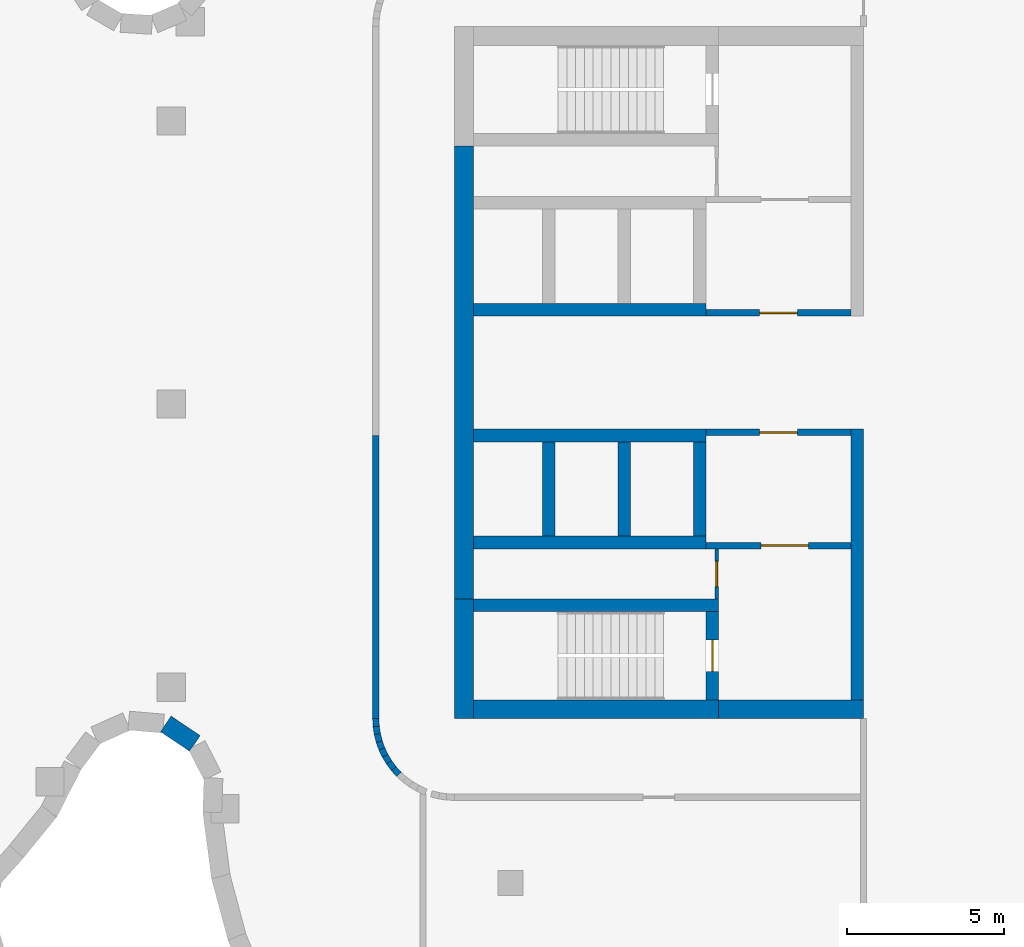
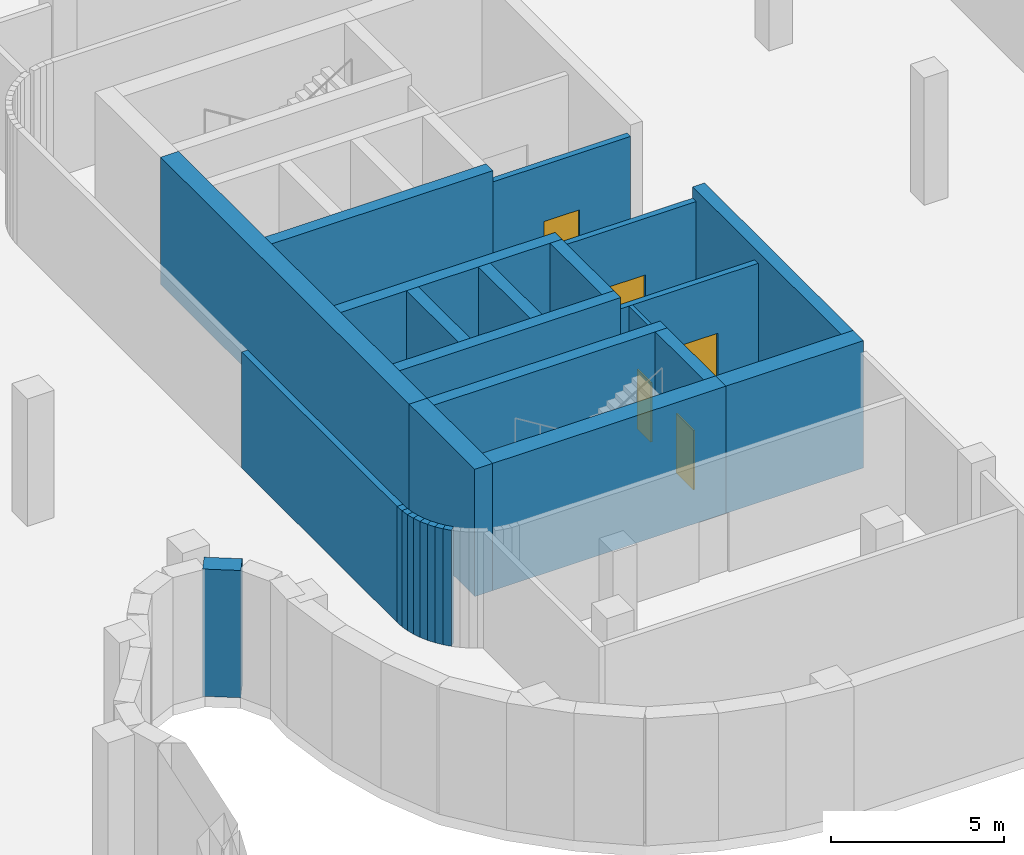
# One storey, part 8 of 16: 27 walls, 5 doors, 5 openings.
"""IFC4 building model written with IfcOpenShell, lengths in metres."""

from ifc_helpers import new_model, si_unit, direction, frame, frame_2d, origin, place, context, subcontext, project, spatial, rectangle, extrude, material, layer, layer_set, type_object, element, fill, save


model = new_model("IFC4")

# Units and contexts
model_context = context("Model", 3, precision=1e-05, world=origin(), true_north=direction((0.0, 1.0)))
body_context = subcontext(model_context, "Body", "Model", "MODEL_VIEW")
ifc_project = project(units=[si_unit("LENGTHUNIT", "METRE"), si_unit("AREAUNIT", "SQUARE_METRE"), si_unit("VOLUMEUNIT", "CUBIC_METRE"), si_unit("PLANEANGLEUNIT", "RADIAN"), si_unit("MASSUNIT", "GRAM", prefix="KILO")], contexts=[model_context])

# Site, building, storey
site_placement = place(None, origin())
site = spatial("IfcSite", under=ifc_project, at=site_placement, CompositionType="ELEMENT")
building_placement = place(site_placement, origin())
building = spatial("IfcBuilding", under=site, at=building_placement, Name="Skarvind Civic Tower", CompositionType="ELEMENT")
storey_placement = place(building_placement, frame((0.0, 0.0, -4.5)))
storey = spatial("IfcBuildingStorey", under=building, at=storey_placement, Name="B1", CompositionType="ELEMENT", Elevation=-4.5)

# Wall
ifc_material_1 = material(Name="Concrete C40", Category="concrete")
ifc_layer_1 = layer(ifc_material_1, 0.60009765625)
ifc_layer_set_1 = layer_set([ifc_layer_1], Name="Basement retaining wall 600 C40")
wall_type_1 = type_object("IfcWallType", Name="Basement retaining wall 600 C40", PredefinedType="SHEAR", material=ifc_layer_set_1)
wall_1_placement = place(storey_placement, frame((118.745849609375, 116.211181640625, 0.0), z_axis=(0.0, 0.0, 1.0), x_axis=(-0.829264210915, 0.55885675132, 0.0)))
element("IfcWall", 1, at=wall_1_placement, inside=storey, type_object=wall_type_1, Name="Basement retaining wall B1 75", PredefinedType="SHEAR", context=body_context, shape_type="SweptSolid", body=[
    extrude(rectangle(XDim=1.109619140625, YDim=0.60009765625, at=frame_2d((0.5546875, 0.0))), origin(), (0.0, 0.0, 1.0), 4.5),
])

# Wall, opening, door
ifc_material_2 = material(Name="Fire-rated masonry partition", Category="masonry")
ifc_layer_2 = layer(ifc_material_2, 0.199951171875)
ifc_layer_set_2 = layer_set([ifc_layer_2], Name="Core enclosure wall 200")
wall_type_2 = type_object("IfcWallType", Name="Core enclosure wall 200", PredefinedType="PARTITIONING", material=ifc_layer_set_2)
wall_2_placement = place(storey_placement, frame((135.0, 129.89990234375, 0.0), z_axis=(0.0, 0.0, 1.0), x_axis=(1.0, 0.0, 0.0)))
wall_2 = element("IfcWall", 2, at=wall_2_placement, inside=storey, type_object=wall_type_2, Name="Core wall CA", PredefinedType="PARTITIONING", context=body_context, shape_type="SweptSolid", body=[
    extrude(rectangle(XDim=4.60009765625, YDim=0.199951171875, at=frame_2d((2.300048828125, 0.0))), origin(), (0.0, 0.0, 1.0), 4.10009765625),
])
opening_1_placement = place(wall_2_placement, frame((1.699951171875, 0.0, 0.0)))
opening_1 = element("IfcOpeningElement", 3, at=opening_1_placement, cuts=wall_2, Name="Opening D-B1-CA-01", PredefinedType="OPENING", context=body_context, shape_type="SweptSolid", body=[
    extrude(rectangle(XDim=1.199951171875, YDim=2.10009765625, at=frame_2d((0.60009765625, 1.050048828125))), frame((0.0, 0.10986328125, 0.0), z_axis=(0.0, -1.0, 0.0), x_axis=(1.0, 0.0, 0.0)), (0.0, 0.0, 1.0), 0.219970703125),
])
ifc_material_3 = material(Name="Fire-rated steel door", Category="steel")
door_type_1 = type_object("IfcDoorType", Name="Core lobby door 1200", OperationType="NOTDEFINED", PredefinedType="DOOR", material=ifc_material_3)
door_1_placement = place(opening_1_placement, origin())
door_1 = element("IfcDoor", 4, at=door_1_placement, inside=storey, type_object=door_type_1, Name="Fire door", OperationType="DOUBLE_DOOR_SINGLE_SWING", OverallHeight=2.10009765625, OverallWidth=1.199951171875, PredefinedType="DOOR", context=body_context, shape_type="SweptSolid", body=[
    extrude(rectangle(XDim=1.199951171875, YDim=2.10009765625, at=frame_2d((0.60009765625, 1.050048828125))), frame((0.0, 0.02490234375, 0.0), z_axis=(0.0, -1.0, 0.0), x_axis=(1.0, 0.0, 0.0)), (0.0, 0.0, 1.0), 0.050048828125),
])
fill(opening_1, door_1)

wall_3_placement = place(storey_placement, frame((139.60009765625, 126.10009765625, 0.0), z_axis=(0.0, 0.0, 1.0), x_axis=(-1.0, 0.0, 0.0)))
wall_3 = element("IfcWall", 5, at=wall_3_placement, inside=storey, type_object=wall_type_2, Name="Core wall CA", PredefinedType="PARTITIONING", context=body_context, shape_type="SweptSolid", body=[
    extrude(rectangle(XDim=4.60009765625, YDim=0.199951171875, at=frame_2d((2.300048828125, 0.0))), origin(), (0.0, 0.0, 1.0), 4.10009765625),
])
opening_2_placement = place(wall_3_placement, frame((1.699951171875, 0.0, 0.0)))
opening_2 = element("IfcOpeningElement", 6, at=opening_2_placement, cuts=wall_3, Name="Opening D-B1-CA-05", PredefinedType="OPENING", context=body_context, shape_type="SweptSolid", body=[
    extrude(rectangle(XDim=1.199951171875, YDim=2.10009765625, at=frame_2d((0.60009765625, 1.050048828125))), frame((0.0, 0.10986328125, 0.0), z_axis=(0.0, -1.0, 0.0), x_axis=(1.0, 0.0, 0.0)), (0.0, 0.0, 1.0), 0.219970703125),
])
door_2_placement = place(opening_2_placement, origin())
door_2 = element("IfcDoor", 7, at=door_2_placement, inside=storey, type_object=door_type_1, Name="Fire door", OperationType="DOUBLE_DOOR_SINGLE_SWING", OverallHeight=2.10009765625, OverallWidth=1.199951171875, PredefinedType="DOOR", context=body_context, shape_type="SweptSolid", body=[
    extrude(rectangle(XDim=1.199951171875, YDim=2.10009765625, at=frame_2d((0.60009765625, 1.050048828125))), frame((0.0, 0.02490234375, 0.0), z_axis=(0.0, -1.0, 0.0), x_axis=(1.0, 0.0, 0.0)), (0.0, 0.0, 1.0), 0.050048828125),
])
fill(opening_2, door_2)

wall_4_placement = place(storey_placement, frame((139.60009765625, 122.5, 0.0), z_axis=(0.0, 0.0, 1.0), x_axis=(-1.0, 0.0, 0.0)))
wall_4 = element("IfcWall", 8, at=wall_4_placement, inside=storey, type_object=wall_type_2, Name="Core wall CA", PredefinedType="PARTITIONING", context=body_context, shape_type="SweptSolid", body=[
    extrude(rectangle(XDim=4.60009765625, YDim=0.199951171875, at=frame_2d((2.300048828125, 0.0))), origin(), (0.0, 0.0, 1.0), 4.10009765625),
])
opening_3_placement = place(wall_4_placement, frame((1.35009765625, 0.0, 0.0)))
opening_3 = element("IfcOpeningElement", 9, at=opening_3_placement, cuts=wall_4, Name="Opening D-B1-CA-06", PredefinedType="OPENING", context=body_context, shape_type="SweptSolid", body=[
    extrude(rectangle(XDim=1.5, YDim=2.10009765625, at=frame_2d((0.75, 1.050048828125))), frame((0.0, 0.10986328125, 0.0), z_axis=(0.0, -1.0, 0.0), x_axis=(1.0, 0.0, 0.0)), (0.0, 0.0, 1.0), 0.219970703125),
])
door_type_2 = type_object("IfcDoorType", Name="Fire door 1500", OperationType="NOTDEFINED", PredefinedType="DOOR", material=ifc_material_3)
door_3_placement = place(opening_3_placement, origin())
door_3 = element("IfcDoor", 10, at=door_3_placement, inside=storey, type_object=door_type_2, Name="Fire door", OperationType="DOUBLE_DOOR_SINGLE_SWING", OverallHeight=2.10009765625, OverallWidth=1.5, PredefinedType="DOOR", context=body_context, shape_type="SweptSolid", body=[
    extrude(rectangle(XDim=1.5, YDim=2.10009765625, at=frame_2d((0.75, 1.050048828125))), frame((0.0, 0.02490234375, 0.0), z_axis=(0.0, -1.0, 0.0), x_axis=(1.0, 0.0, 0.0)), (0.0, 0.0, 1.0), 0.050048828125),
])
fill(opening_3, door_3)

# Wall
ifc_material_4 = material(Name="Concrete C80", Category="concrete")
ifc_layer_3 = layer(ifc_material_4, 0.39990234375)
ifc_layer_set_3 = layer_set([ifc_layer_3], Name="Core wall 400 C80")
wall_type_3 = type_object("IfcWallType", Name="Core wall 400 C80", PredefinedType="SHEAR", material=ifc_layer_set_3)
wall_5_placement = place(storey_placement, frame((127.60009765625, 120.60009765625, 0.0), z_axis=(0.0, 0.0, 1.0), x_axis=(1.0, 0.0, 0.0)))
element("IfcWall", 11, at=wall_5_placement, inside=storey, type_object=wall_type_3, Name="Core wall CA south stair inner B1", PredefinedType="SHEAR", context=body_context, shape_type="SweptSolid", body=[
    extrude(rectangle(XDim=7.7998046875, YDim=0.39990234375, at=frame_2d((3.89990234375, 0.0))), origin(), (0.0, 0.0, 1.0), 4.5),
])

# Wall, opening, door
wall_6_placement = place(storey_placement, frame((135.199951171875, 117.60009765625, 0.0), z_axis=(0.0, 0.0, 1.0), x_axis=(0.0, 1.0, 0.0)))
wall_6 = element("IfcWall", 12, at=wall_6_placement, inside=storey, type_object=wall_type_3, Name="Core wall CA south stair end B1", PredefinedType="SHEAR", context=body_context, shape_type="SweptSolid", body=[
    extrude(rectangle(XDim=2.7998046875, YDim=0.39990234375, at=frame_2d((1.39990234375, 0.0))), origin(), (0.0, 0.0, 1.0), 4.5),
])
opening_4_placement = place(wall_6_placement, frame((0.89990234375, 0.0, 0.0)))
opening_4 = element("IfcOpeningElement", 13, at=opening_4_placement, cuts=wall_6, Name="Opening D-B1-CA-07", PredefinedType="OPENING", context=body_context, shape_type="SweptSolid", body=[
    extrude(rectangle(XDim=1.0, YDim=2.10009765625, at=frame_2d((0.5, 1.050048828125))), frame((0.0, 0.2099609375, 0.0), z_axis=(0.0, -1.0, 0.0), x_axis=(1.0, 0.0, 0.0)), (0.0, 0.0, 1.0), 0.419921875),
])
door_type_3 = type_object("IfcDoorType", Name="Fire door 1000", OperationType="NOTDEFINED", PredefinedType="DOOR", material=ifc_material_3)
door_4_placement = place(opening_4_placement, origin())
door_4 = element("IfcDoor", 14, at=door_4_placement, inside=storey, type_object=door_type_3, Name="Fire door", OperationType="SINGLE_SWING_RIGHT", OverallHeight=2.10009765625, OverallWidth=1.0, PredefinedType="DOOR", context=body_context, shape_type="SweptSolid", body=[
    extrude(rectangle(XDim=1.0, YDim=2.10009765625, at=frame_2d((0.5, 1.050048828125))), frame((0.0, 0.02490234375, 0.0), z_axis=(0.0, -1.0, 0.0), x_axis=(1.0, 0.0, 0.0)), (0.0, 0.0, 1.0), 0.050048828125),
])
fill(opening_4, door_4)

# Walls
for number, where, z_axis, x_axis, name in (
    (15, (127.60009765625, 126.0, 0.0), (0.0, 0.0, 1.0), (1.0, 0.0, 0.0), "Core wall CA south lift row front B1"),
    (16, (127.60009765625, 122.60009765625, 0.0), (0.0, 0.0, 1.0), (1.0, 0.0, 0.0), "Core wall CA south lift row back B1"),
):
    element("IfcWall", number, at=place(storey_placement, frame(where, z_axis=z_axis, x_axis=x_axis)), inside=storey, type_object=wall_type_3, Name=name, PredefinedType="SHEAR", context=body_context, shape_type="SweptSolid", body=[
        extrude(rectangle(XDim=7.39990234375, YDim=0.39990234375, at=frame_2d((3.699951171875, 0.0))), origin(), (0.0, 0.0, 1.0), 4.5),
    ])
for number, where, z_axis, x_axis, name in (
    (17, (130.0, 122.800048828125, 0.0), (0.0, 0.0, 1.0), (0.0, 1.0, 0.0), "Core wall CA south lift row division 1 B1"),
    (18, (132.39990234375, 122.800048828125, 0.0), (0.0, 0.0, 1.0), (0.0, 1.0, 0.0), "Core wall CA south lift row division 2 B1"),
    (19, (134.800048828125, 122.800048828125, 0.0), (0.0, 0.0, 1.0), (0.0, 1.0, 0.0), "Core wall CA south lift row division 3 B1"),
):
    element("IfcWall", number, at=place(storey_placement, frame(where, z_axis=z_axis, x_axis=x_axis)), inside=storey, type_object=wall_type_3, Name=name, PredefinedType="SHEAR", context=body_context, shape_type="SweptSolid", body=[
        extrude(rectangle(XDim=3.0, YDim=0.39990234375, at=frame_2d((1.5, 0.0))), origin(), (0.0, 0.0, 1.0), 4.5),
    ])
wall_7_placement = place(storey_placement, frame((127.60009765625, 130.0, 0.0), z_axis=(0.0, 0.0, 1.0), x_axis=(1.0, 0.0, 0.0)))
element("IfcWall", 20, at=wall_7_placement, inside=storey, type_object=wall_type_3, Name="Core wall CA north lift row front B1", PredefinedType="SHEAR", context=body_context, shape_type="SweptSolid", body=[
    extrude(rectangle(XDim=7.39990234375, YDim=0.39990234375, at=frame_2d((3.699951171875, 0.0))), origin(), (0.0, 0.0, 1.0), 4.5),
])
wall_8_placement = place(storey_placement, frame((139.800048828125, 117.60009765625, 0.0), z_axis=(0.0, 0.0, 1.0), x_axis=(0.0, 1.0, 0.0)))
element("IfcWall", 21, at=wall_8_placement, inside=storey, type_object=wall_type_3, Name="Core wall CA south inner face B1", PredefinedType="SHEAR", context=body_context, shape_type="SweptSolid", body=[
    extrude(rectangle(XDim=8.599853515625, YDim=0.39990234375, at=frame_2d((4.2998046875, 0.0))), origin(), (0.0, 0.0, 1.0), 4.5),
])
ifc_layer_4 = layer(ifc_material_4, 0.60009765625)
ifc_layer_set_4 = layer_set([ifc_layer_4], Name="Core wall 600 C80")
wall_type_4 = type_object("IfcWallType", Name="Core wall 600 C80", PredefinedType="SHEAR", material=ifc_layer_set_4)
wall_9_placement = place(storey_placement, frame((127.300048828125, 117.0, 0.0), z_axis=(0.0, 0.0, 1.0), x_axis=(0.0, 1.0, 0.0)))
element("IfcWall", 22, at=wall_9_placement, inside=storey, type_object=wall_type_4, Name="Core wall CA tip at the south stair B1", PredefinedType="SHEAR", context=body_context, shape_type="SweptSolid", body=[
    extrude(rectangle(XDim=3.800048828125, YDim=0.60009765625, at=frame_2d((1.89990234375, 0.0))), origin(), (0.0, 0.0, 1.0), 4.5),
])
wall_10_placement = place(storey_placement, frame((127.300048828125, 120.800048828125, 0.0), z_axis=(0.0, 0.0, 1.0), x_axis=(0.0, 1.0, 0.0)))
element("IfcWall", 23, at=wall_10_placement, inside=storey, type_object=wall_type_4, Name="Core wall CA tip between the stairs B1", PredefinedType="SHEAR", context=body_context, shape_type="SweptSolid", body=[
    extrude(rectangle(XDim=14.39990234375, YDim=0.60009765625, at=frame_2d((7.199951171875, 0.0))), origin(), (0.0, 0.0, 1.0), 4.5),
])
wall_11_placement = place(storey_placement, frame((127.60009765625, 117.300048828125, 0.0), z_axis=(0.0, 0.0, 1.0), x_axis=(1.0, 0.0, 0.0)))
element("IfcWall", 24, at=wall_11_placement, inside=storey, type_object=wall_type_4, Name="Core wall CA south side at the stair B1", PredefinedType="SHEAR", context=body_context, shape_type="SweptSolid", body=[
    extrude(rectangle(XDim=7.7998046875, YDim=0.60009765625, at=frame_2d((3.89990234375, 0.0))), origin(), (0.0, 0.0, 1.0), 4.5),
])
wall_12_placement = place(storey_placement, frame((135.39990234375, 117.300048828125, 0.0), z_axis=(0.0, 0.0, 1.0), x_axis=(1.0, 0.0, 0.0)))
element("IfcWall", 25, at=wall_12_placement, inside=storey, type_object=wall_type_4, Name="Core wall CA south side B1", PredefinedType="SHEAR", context=body_context, shape_type="SweptSolid", body=[
    extrude(rectangle(XDim=4.60009765625, YDim=0.60009765625, at=frame_2d((2.300048828125, 0.0))), origin(), (0.0, 0.0, 1.0), 4.5),
])
ifc_material_5 = material(Name="Fire-rated blockwork wall, plastered", Category="masonry")
ifc_layer_5 = layer(ifc_material_5, 0.199951171875)
ifc_layer_set_5 = layer_set([ifc_layer_5], Name="FIRE WALL 200 EI 60")
wall_type_5 = type_object("IfcWallType", Name="FIRE WALL 200 EI 60", PredefinedType="PARTITIONING", material=ifc_layer_set_5)
wall_13_placement = place(storey_placement, frame((124.5, 116.998046875, 0.0), z_axis=(0.0, 0.0, 1.0), x_axis=(0.0, 1.0, 0.0)))
element("IfcWall", 26, at=wall_13_placement, inside=storey, type_object=wall_type_5, Name="Basement partition B1 033", PredefinedType="PARTITIONING", context=body_context, shape_type="SweptSolid", body=[
    extrude(rectangle(XDim=9.001953125, YDim=0.199951171875, at=frame_2d((4.5009765625, 0.0))), origin(), (0.0, 0.0, 1.0), 4.10009765625),
])
wall_14_placement = place(storey_placement, frame((124.5, 117.001953125, 0.0), z_axis=(0.0, 0.0, 1.0), x_axis=(0.047427190102, -0.998874697667, 0.0)))
element("IfcWall", 27, at=wall_14_placement, inside=storey, type_object=wall_type_5, Name="Basement partition B1 034", PredefinedType="PARTITIONING", context=body_context, shape_type="SweptSolid", body=[
    extrude(rectangle(XDim=0.252197265625, YDim=0.199951171875, at=frame_2d((0.1259765625, 0.0))), origin(), (0.0, 0.0, 1.0), 4.10009765625),
])
wall_15_placement = place(storey_placement, frame((124.510986328125, 116.760009765625, 0.0), z_axis=(0.0, 0.0, 1.0), x_axis=(0.148900521377, -0.988852180426, 0.0)))
element("IfcWall", 28, at=wall_15_placement, inside=storey, type_object=wall_type_5, Name="Basement partition B1 037", PredefinedType="PARTITIONING", context=body_context, shape_type="SweptSolid", body=[
    extrude(rectangle(XDim=0.255859375, YDim=0.199951171875, at=frame_2d((0.1279296875, 0.0))), origin(), (0.0, 0.0, 1.0), 4.10009765625),
])
wall_16_placement = place(storey_placement, frame((124.547119140625, 116.51708984375, 0.0), z_axis=(0.0, 0.0, 1.0), x_axis=(0.241636616978, -0.970366809683, 0.0)))
element("IfcWall", 29, at=wall_16_placement, inside=storey, type_object=wall_type_5, Name="Basement partition B1 039", PredefinedType="PARTITIONING", context=body_context, shape_type="SweptSolid", body=[
    extrude(rectangle(XDim=0.255615234375, YDim=0.199951171875, at=frame_2d((0.1279296875, 0.0))), origin(), (0.0, 0.0, 1.0), 4.10009765625),
])
wall_17_placement = place(storey_placement, frame((124.60595703125, 116.278076171875, 0.0), z_axis=(0.0, 0.0, 1.0), x_axis=(0.337125007331, -0.941459892631, 0.0)))
element("IfcWall", 30, at=wall_17_placement, inside=storey, type_object=wall_type_5, Name="Basement partition B1 041", PredefinedType="PARTITIONING", context=body_context, shape_type="SweptSolid", body=[
    extrude(rectangle(XDim=0.2548828125, YDim=0.199951171875, at=frame_2d((0.12744140625, 0.0))), origin(), (0.0, 0.0, 1.0), 4.10009765625),
])
wall_18_placement = place(storey_placement, frame((124.68798828125, 116.048095703125, 0.0), z_axis=(0.0, 0.0, 1.0), x_axis=(0.4287046499, -0.903444698448, 0.0)))
element("IfcWall", 31, at=wall_18_placement, inside=storey, type_object=wall_type_5, Name="Basement partition B1 043", PredefinedType="PARTITIONING", context=body_context, shape_type="SweptSolid", body=[
    extrude(rectangle(XDim=0.254638671875, YDim=0.199951171875, at=frame_2d((0.12744140625, 0.0))), origin(), (0.0, 0.0, 1.0), 4.10009765625),
])
wall_19_placement = place(storey_placement, frame((124.79296875, 115.825927734375, 0.0), z_axis=(0.0, 0.0, 1.0), x_axis=(0.513651517527, -0.857998903579, 0.0)))
element("IfcWall", 32, at=wall_19_placement, inside=storey, type_object=wall_type_5, Name="Basement partition B1 045", PredefinedType="PARTITIONING", context=body_context, shape_type="SweptSolid", body=[
    extrude(rectangle(XDim=0.255126953125, YDim=0.199951171875, at=frame_2d((0.12744140625, 0.0))), origin(), (0.0, 0.0, 1.0), 4.10009765625),
])
wall_20_placement = place(storey_placement, frame((124.91796875, 115.614990234375, 0.0), z_axis=(0.0, 0.0, 1.0), x_axis=(0.595707657713, -0.803201336243, 0.0)))
element("IfcWall", 33, at=wall_20_placement, inside=storey, type_object=wall_type_5, Name="Basement partition B1 047", PredefinedType="PARTITIONING", context=body_context, shape_type="SweptSolid", body=[
    extrude(rectangle(XDim=0.25537109375, YDim=0.199951171875, at=frame_2d((0.127685546875, 0.0))), origin(), (0.0, 0.0, 1.0), 4.10009765625),
])
wall_21_placement = place(storey_placement, frame((125.06396484375, 115.41796875, 0.0), z_axis=(0.0, 0.0, 1.0), x_axis=(0.66938668015, -0.742914175687, 0.0)))
element("IfcWall", 34, at=wall_21_placement, inside=storey, type_object=wall_type_5, Name="Basement partition B1 049", PredefinedType="PARTITIONING", context=body_context, shape_type="SweptSolid", body=[
    extrude(rectangle(XDim=0.255615234375, YDim=0.199951171875, at=frame_2d((0.1279296875, 0.0))), origin(), (0.0, 0.0, 1.0), 4.10009765625),
])

# Wall, opening, door
ifc_layer_6 = layer(ifc_material_2, 0.125)
ifc_layer_set_6 = layer_set([ifc_layer_6], Name="Riser wall 125")
wall_type_6 = type_object("IfcWallType", Name="Riser wall 125", PredefinedType="PARTITIONING", material=ifc_layer_set_6)
wall_22_placement = place(storey_placement, frame((135.33740234375, 122.39990234375, 0.0), z_axis=(0.0, 0.0, 1.0), x_axis=(0.0, -1.0, 0.0)))
wall_22 = element("IfcWall", 35, at=wall_22_placement, inside=storey, type_object=wall_type_6, Name="Core wall CA", PredefinedType="PARTITIONING", context=body_context, shape_type="SweptSolid", body=[
    extrude(rectangle(XDim=1.599853515625, YDim=0.125, at=frame_2d((0.7998046875, 0.0))), origin(), (0.0, 0.0, 1.0), 4.10009765625),
])
opening_5_placement = place(wall_22_placement, frame((0.39990234375, 0.0, 0.0)))
opening_5 = element("IfcOpeningElement", 36, at=opening_5_placement, cuts=wall_22, Name="Opening D-B1-CA-08", PredefinedType="OPENING", context=body_context, shape_type="SweptSolid", body=[
    extrude(rectangle(XDim=0.800048828125, YDim=2.10009765625, at=frame_2d((0.39990234375, 1.050048828125))), frame((0.0, 0.072509765625, 0.0), z_axis=(0.0, -1.0, 0.0), x_axis=(1.0, 0.0, 0.0)), (0.0, 0.0, 1.0), 0.14501953125),
])
door_type_4 = type_object("IfcDoorType", Name="Core riser door 800", OperationType="NOTDEFINED", PredefinedType="DOOR", material=ifc_material_3)
door_5_placement = place(opening_5_placement, origin())
door_5 = element("IfcDoor", 37, at=door_5_placement, inside=storey, type_object=door_type_4, Name="Riser door", OperationType="SINGLE_SWING_LEFT", OverallHeight=2.10009765625, OverallWidth=0.800048828125, PredefinedType="DOOR", context=body_context, shape_type="SweptSolid", body=[
    extrude(rectangle(XDim=0.800048828125, YDim=2.10009765625, at=frame_2d((0.39990234375, 1.050048828125))), frame((0.0, 0.02490234375, 0.0), z_axis=(0.0, -1.0, 0.0), x_axis=(1.0, 0.0, 0.0)), (0.0, 0.0, 1.0), 0.050048828125),
])
fill(opening_5, door_5)

save(model, "model.ifc")
